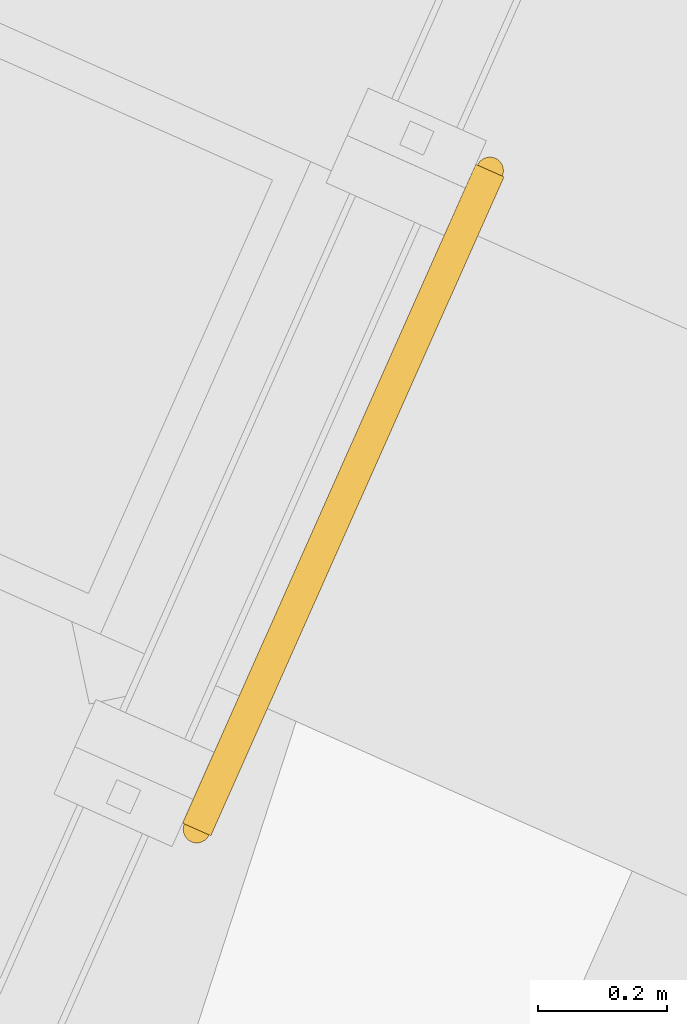
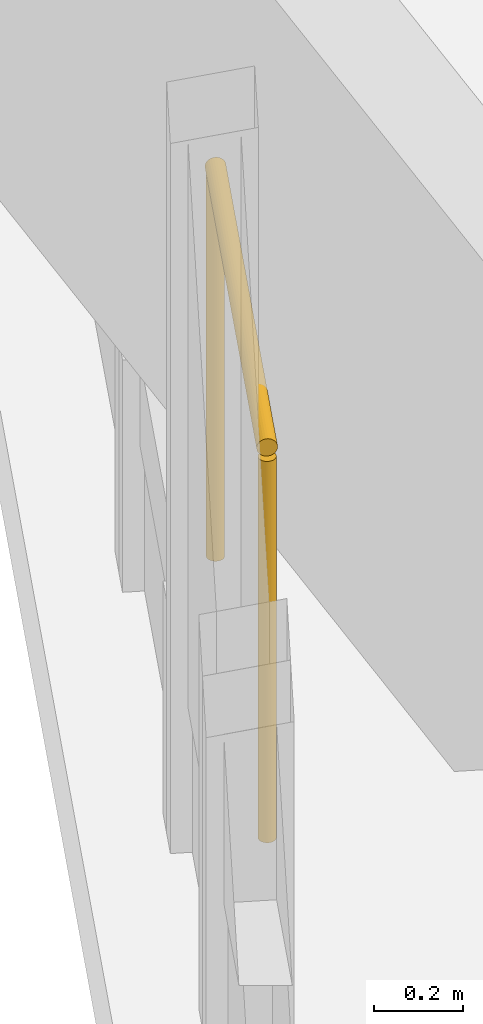
# One storey, part 22 of 23: 1 railing.
"""IFC4 building model written with IfcOpenShell, lengths in metres."""

from ifc_helpers import new_model, si_unit, direction, frame, origin, origin_2d, place, context, subcontext, project, spatial, circle, extrude, material, type_object, element, save


model = new_model("IFC4")

# Units and contexts
model_context = context("Model", 3, precision=1e-05, world=origin(), true_north=direction((0.0, 1.0)))
body_context = subcontext(model_context, "Body", "Model", "MODEL_VIEW")
ifc_project = project(units=[si_unit("LENGTHUNIT", "METRE"), si_unit("AREAUNIT", "SQUARE_METRE"), si_unit("VOLUMEUNIT", "CUBIC_METRE"), si_unit("PLANEANGLEUNIT", "RADIAN"), si_unit("MASSUNIT", "GRAM", prefix="KILO")], contexts=[model_context])

# Site, building, storey
site_placement = place(None, origin())
site = spatial("IfcSite", under=ifc_project, at=site_placement, CompositionType="ELEMENT")
building_placement = place(site_placement, origin())
building = spatial("IfcBuilding", under=site, at=building_placement, Name="Triune Harvest Tower", CompositionType="ELEMENT")
storey_placement = place(building_placement, frame((0.0, 0.0, 255.699951171875)))
storey = spatial("IfcBuildingStorey", under=building, at=storey_placement, Name="L67", CompositionType="ELEMENT", Elevation=255.699951171875)

# Railing
ifc_material = material(Name="Glass", Category="glass")
railing_type = type_object("IfcRailingType", Name="GD-3 facade guard 1100", PredefinedType="GUARDRAIL", material=ifc_material)
railing_placement = place(storey_placement, frame((-9.70458984375, 27.0791015625, 0.0)))
element("IfcRailing", 1, at=railing_placement, inside=storey, type_object=railing_type, Name="Facade guard B6-F3 L67.1.1", PredefinedType="GUARDRAIL", context=body_context, shape_type="SweptSolid", body=[
    extrude(circle(Radius=0.02392578125, at=origin_2d()), frame((0.0, 0.0, 1.076171875), z_axis=(-0.406565009339, -0.913621854588, 0.0), x_axis=(0.913621854588, -0.406565009339, 0.0)), (0.0, 0.0, 1.0), 1.115234375),
    extrude(circle(Radius=0.02099609375, at=origin_2d()), origin(), (0.0, 0.0, 1.0), 1.052001953125),
    extrude(circle(Radius=0.02099609375, at=origin_2d()), frame((-0.453369140625, -1.018798828125, 0.0)), (0.0, 0.0, 1.0), 1.052001953125),
])

save(model, "model.ifc")
